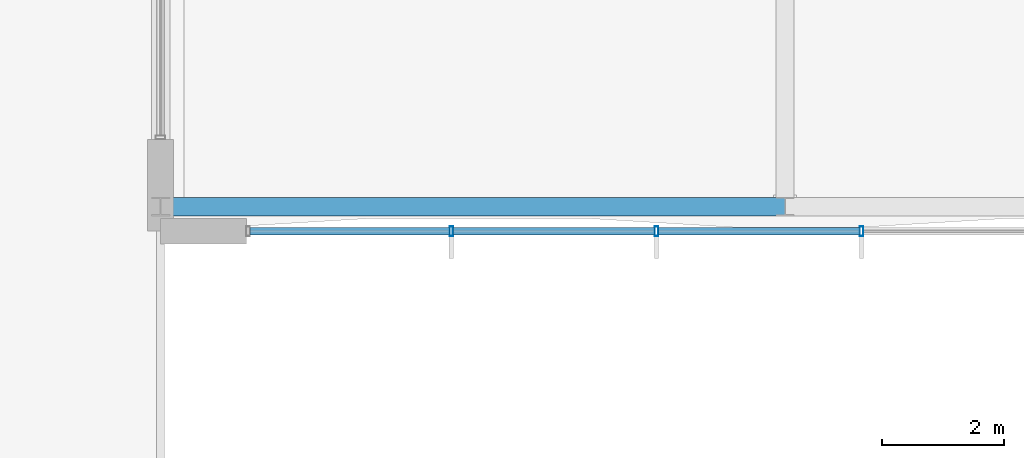
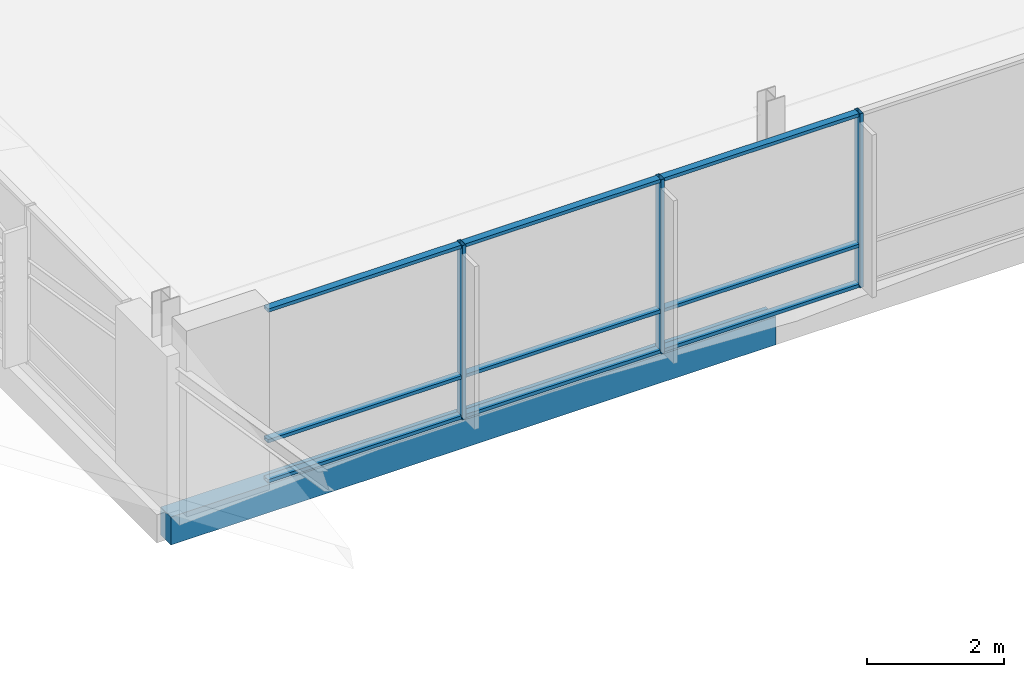
# One storey, part 101 of 189: 12 members, 1 beam, 1 element without a shape of its own.
"""IFC4 building model written with IfcOpenShell, lengths in metres."""

from ifc_helpers import new_model, si_unit, direction, frame, origin, origin_2d, place, context, subcontext, project, spatial, rectangle, hollow_rectangle, extrude, material, material_profile, profile_set, type_object, element, aggregate, save


model = new_model("IFC4")

# Units and contexts
model_context = context("Model", 3, precision=1e-05, world=origin(), true_north=direction((0.0, 1.0)))
body_context = subcontext(model_context, "Body", "Model", "MODEL_VIEW")
ifc_project = project(units=[si_unit("LENGTHUNIT", "METRE"), si_unit("AREAUNIT", "SQUARE_METRE"), si_unit("VOLUMEUNIT", "CUBIC_METRE"), si_unit("PLANEANGLEUNIT", "RADIAN"), si_unit("MASSUNIT", "GRAM", prefix="KILO")], contexts=[model_context])

# Site, building, storey
site_placement = place(None, origin())
site = spatial("IfcSite", under=ifc_project, at=site_placement, CompositionType="ELEMENT")
building_placement = place(site_placement, origin())
building = spatial("IfcBuilding", under=site, at=building_placement, Name="Zavelmont Quarter", CompositionType="ELEMENT")
storey_placement = place(building_placement, frame((0.0, 0.0, 4.39990234375)))
storey = spatial("IfcBuildingStorey", under=building, at=storey_placement, Name="L01", CompositionType="ELEMENT", Elevation=4.39990234375)

# Beam
ifc_material_1 = material(Name="Concrete C35/45", Category="concrete")
ifc_material_profile_1 = material_profile(ifc_material_1, rectangle(XDim=0.300048828125, YDim=0.5, at=origin_2d()), Name="RC300X500")
ifc_profile_set_1 = profile_set([ifc_material_profile_1], Name="Concrete C35/45")
beam_type = type_object("IfcBeamType", Name="BM03", PredefinedType="BEAM", material=ifc_profile_set_1)
beam_placement = place(storey_placement, frame((92.0, 102.0, -0.52978515625), z_axis=(1.0, 0.0, 0.0), x_axis=(0.0, 1.0, 0.0)))
element("IfcBeam", 1, at=beam_placement, inside=storey, type_object=beam_type, Name="L01 beam BM03 14/Q to 16/Q", PredefinedType="BEAM", context=body_context, shape_type="SweptSolid", body=[
    extrude(rectangle(XDim=0.300048828125, YDim=0.5, at=origin_2d()), origin(), (0.0, 0.0, 1.0), 10.199951171875),
])

# Curtain wall, members
ifc_material_2 = material(Name="Thermally broken aluminium and double low-E safety glazing", Category="aluminium")
curtain_wall_type = type_object("IfcCurtainWallType", Name="CW-1340X310", PredefinedType="NOTDEFINED", material=ifc_material_2)
curtain_wall_placement = place(storey_placement, origin())
curtain_wall = element("IfcCurtainWall", 2, at=curtain_wall_placement, inside=storey, type_object=curtain_wall_type, Name="L01 unitised curtain wall CW-1340X310", PredefinedType="NOTDEFINED")
ifc_material_3 = material(Name="Powder-coated aluminium EN AW-6063-T6", Category="aluminium")
ifc_material_profile_2 = material_profile(ifc_material_3, hollow_rectangle(XDim=0.06005859375, YDim=0.159912109375, WallThickness=0.00390625, at=origin_2d()), Name="CWM60X160")
ifc_profile_set_2 = profile_set([ifc_material_profile_2], Name="Powder-coated aluminium EN AW-6063-T6")
member_type_1 = type_object("IfcMemberType", Name="CWM01", PredefinedType="MULLION", material=ifc_profile_set_2)
member_1_placement = place(storey_placement, frame((96.75, 101.60009765625, 0.0), z_axis=(0.0, 0.0, 1.0), x_axis=(1.0, 0.0, 0.0)))
member_1 = element("IfcMember", 3, at=member_1_placement, type_object=member_type_1, Name="CW-1340X310 mullion 2", PredefinedType="MULLION", context=body_context, shape_type="SweptSolid", body=[
    extrude(hollow_rectangle(XDim=0.06005859375, YDim=0.159912109375, WallThickness=0.00390625, at=origin_2d()), origin(), (0.0, 0.0, 1.0), 3.10009765625),
])
member_2_placement = place(storey_placement, frame((100.10009765625, 101.60009765625, 0.0), z_axis=(0.0, 0.0, 1.0), x_axis=(1.0, 0.0, 0.0)))
member_2 = element("IfcMember", 4, at=member_2_placement, type_object=member_type_1, Name="CW-1340X310 mullion 3", PredefinedType="MULLION", context=body_context, shape_type="SweptSolid", body=[
    extrude(hollow_rectangle(XDim=0.06005859375, YDim=0.159912109375, WallThickness=0.00390625, at=origin_2d()), origin(), (0.0, 0.0, 1.0), 3.10009765625),
])
member_3_placement = place(storey_placement, frame((103.449951171875, 101.60009765625, 0.0), z_axis=(0.0, 0.0, 1.0), x_axis=(1.0, 0.0, 0.0)))
member_3 = element("IfcMember", 5, at=member_3_placement, type_object=member_type_1, Name="CW-1340X310 mullion 4", PredefinedType="MULLION", context=body_context, shape_type="SweptSolid", body=[
    extrude(hollow_rectangle(XDim=0.06005859375, YDim=0.159912109375, WallThickness=0.00390625, at=origin_2d()), origin(), (0.0, 0.0, 1.0), 3.10009765625),
])
ifc_material_profile_3 = material_profile(ifc_material_3, hollow_rectangle(XDim=0.1201171875, YDim=0.06005859375, WallThickness=0.00390625, at=origin_2d()), Name="CWT60X120")
ifc_profile_set_3 = profile_set([ifc_material_profile_3], Name="Powder-coated aluminium EN AW-6063-T6")
member_type_2 = type_object("IfcMemberType", Name="CWT01", PredefinedType="NOTDEFINED", material=ifc_profile_set_3)
member_4_placement = place(storey_placement, frame((93.4599609375, 101.60009765625, 0.030029296875), z_axis=(1.0, 0.0, 0.0), x_axis=(0.0, 1.0, 0.0)))
member_4 = element("IfcMember", 6, at=member_4_placement, type_object=member_type_2, Name="CW-1340X310 transom 1.1", ObjectType="TRANSOM", PredefinedType="USERDEFINED", context=body_context, shape_type="SweptSolid", body=[
    extrude(hollow_rectangle(XDim=0.1201171875, YDim=0.06005859375, WallThickness=0.00390625, at=origin_2d()), origin(), (0.0, 0.0, 1.0), 3.260009765625),
])
member_5_placement = place(storey_placement, frame((93.4599609375, 101.60009765625, 0.744140625), z_axis=(1.0, 0.0, 0.0), x_axis=(0.0, 1.0, 0.0)))
member_5 = element("IfcMember", 7, at=member_5_placement, type_object=member_type_2, Name="CW-1340X310 transom 1.2", ObjectType="TRANSOM", PredefinedType="USERDEFINED", context=body_context, shape_type="SweptSolid", body=[
    extrude(hollow_rectangle(XDim=0.1201171875, YDim=0.06005859375, WallThickness=0.00390625, at=origin_2d()), origin(), (0.0, 0.0, 1.0), 3.260009765625),
])
member_6_placement = place(storey_placement, frame((93.4599609375, 101.60009765625, 3.070068359375), z_axis=(1.0, 0.0, 0.0), x_axis=(0.0, 1.0, 0.0)))
member_6 = element("IfcMember", 8, at=member_6_placement, type_object=member_type_2, Name="CW-1340X310 transom 1.3", ObjectType="TRANSOM", PredefinedType="USERDEFINED", context=body_context, shape_type="SweptSolid", body=[
    extrude(hollow_rectangle(XDim=0.1201171875, YDim=0.06005859375, WallThickness=0.00390625, at=origin_2d()), origin(), (0.0, 0.0, 1.0), 3.260009765625),
])
member_7_placement = place(storey_placement, frame((96.780029296875, 101.60009765625, 0.030029296875), z_axis=(1.0, 0.0, 0.0), x_axis=(0.0, 1.0, 0.0)))
member_7 = element("IfcMember", 9, at=member_7_placement, type_object=member_type_2, Name="CW-1340X310 transom 2.1", ObjectType="TRANSOM", PredefinedType="USERDEFINED", context=body_context, shape_type="SweptSolid", body=[
    extrude(hollow_rectangle(XDim=0.1201171875, YDim=0.06005859375, WallThickness=0.00390625, at=origin_2d()), origin(), (0.0, 0.0, 1.0), 3.2900390625),
])
member_8_placement = place(storey_placement, frame((96.780029296875, 101.60009765625, 0.744140625), z_axis=(1.0, 0.0, 0.0), x_axis=(0.0, 1.0, 0.0)))
member_8 = element("IfcMember", 10, at=member_8_placement, type_object=member_type_2, Name="CW-1340X310 transom 2.2", ObjectType="TRANSOM", PredefinedType="USERDEFINED", context=body_context, shape_type="SweptSolid", body=[
    extrude(hollow_rectangle(XDim=0.1201171875, YDim=0.06005859375, WallThickness=0.00390625, at=origin_2d()), origin(), (0.0, 0.0, 1.0), 3.2900390625),
])
member_9_placement = place(storey_placement, frame((96.780029296875, 101.60009765625, 3.070068359375), z_axis=(1.0, 0.0, 0.0), x_axis=(0.0, 1.0, 0.0)))
member_9 = element("IfcMember", 11, at=member_9_placement, type_object=member_type_2, Name="CW-1340X310 transom 2.3", ObjectType="TRANSOM", PredefinedType="USERDEFINED", context=body_context, shape_type="SweptSolid", body=[
    extrude(hollow_rectangle(XDim=0.1201171875, YDim=0.06005859375, WallThickness=0.00390625, at=origin_2d()), origin(), (0.0, 0.0, 1.0), 3.2900390625),
])
member_10_placement = place(storey_placement, frame((100.1298828125, 101.60009765625, 0.030029296875), z_axis=(1.0, 0.0, 0.0), x_axis=(0.0, 1.0, 0.0)))
member_10 = element("IfcMember", 12, at=member_10_placement, type_object=member_type_2, Name="CW-1340X310 transom 3.1", ObjectType="TRANSOM", PredefinedType="USERDEFINED", context=body_context, shape_type="SweptSolid", body=[
    extrude(hollow_rectangle(XDim=0.1201171875, YDim=0.06005859375, WallThickness=0.00390625, at=origin_2d()), origin(), (0.0, 0.0, 1.0), 3.2900390625),
])
member_11_placement = place(storey_placement, frame((100.1298828125, 101.60009765625, 0.744140625), z_axis=(1.0, 0.0, 0.0), x_axis=(0.0, 1.0, 0.0)))
member_11 = element("IfcMember", 13, at=member_11_placement, type_object=member_type_2, Name="CW-1340X310 transom 3.2", ObjectType="TRANSOM", PredefinedType="USERDEFINED", context=body_context, shape_type="SweptSolid", body=[
    extrude(hollow_rectangle(XDim=0.1201171875, YDim=0.06005859375, WallThickness=0.00390625, at=origin_2d()), origin(), (0.0, 0.0, 1.0), 3.2900390625),
])
member_12_placement = place(storey_placement, frame((100.1298828125, 101.60009765625, 3.070068359375), z_axis=(1.0, 0.0, 0.0), x_axis=(0.0, 1.0, 0.0)))
member_12 = element("IfcMember", 14, at=member_12_placement, type_object=member_type_2, Name="CW-1340X310 transom 3.3", ObjectType="TRANSOM", PredefinedType="USERDEFINED", context=body_context, shape_type="SweptSolid", body=[
    extrude(hollow_rectangle(XDim=0.1201171875, YDim=0.06005859375, WallThickness=0.00390625, at=origin_2d()), origin(), (0.0, 0.0, 1.0), 3.2900390625),
])
aggregate(curtain_wall, [member_1, member_2, member_3, member_4, member_5, member_6, member_7, member_8, member_9, member_10, member_11, member_12])

save(model, "model.ifc")
